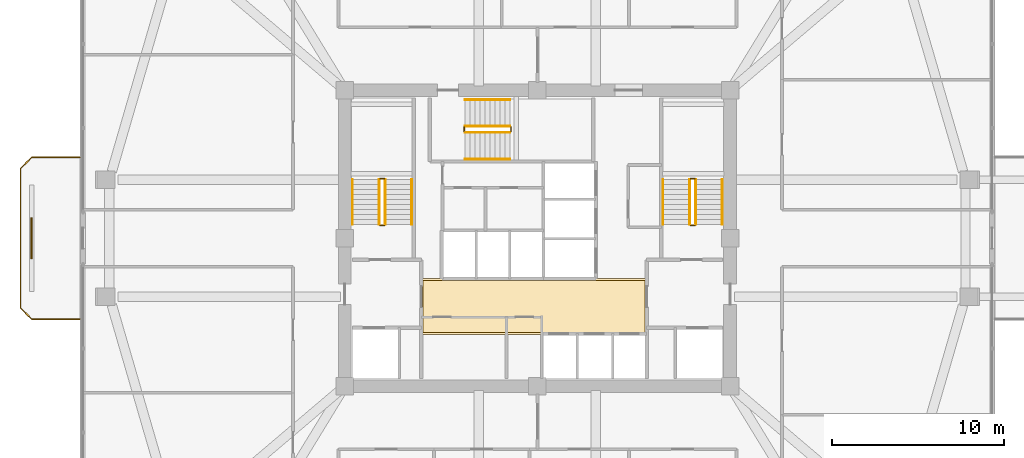
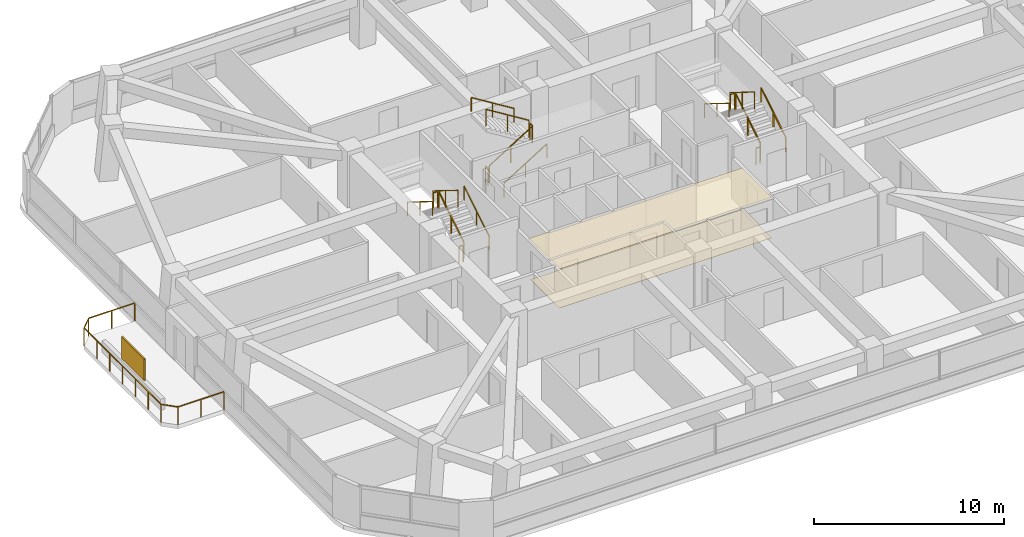
# One storey, part 14 of 15: 19 railings, 2 coverings, 1 shading device.
"""IFC4 building model written with IfcOpenShell, lengths in metres."""

from ifc_helpers import new_model, si_unit, derived_unit, direction, frame, origin, origin_2d, place, context, subcontext, project, spatial, polyline, rectangle, outline, extrude, material, layer, layer_set, type_object, element, save


model = new_model("IFC4")

# Units and contexts
model_context = context("Model", 3, precision=1e-05, world=origin(), true_north=direction((0.0, 1.0)))
body_context = subcontext(model_context, "Body", "Model", "MODEL_VIEW")
ifc_project = project(units=[si_unit("LENGTHUNIT", "METRE"), si_unit("AREAUNIT", "SQUARE_METRE"), si_unit("VOLUMEUNIT", "CUBIC_METRE"), si_unit("PLANEANGLEUNIT", "RADIAN"), si_unit("MASSUNIT", "GRAM", prefix="KILO"), derived_unit("THERMALTRANSMITTANCEUNIT", [(si_unit("POWERUNIT", "WATT"), 1), (si_unit("LENGTHUNIT", "METRE"), -2), (si_unit("THERMODYNAMICTEMPERATUREUNIT", "KELVIN"), -1)])], contexts=[model_context])

# Site, building, storey
site_placement = place(None, origin())
site = spatial("IfcSite", under=ifc_project, at=site_placement, CompositionType="ELEMENT")
building_placement = place(site_placement, origin())
building = spatial("IfcBuilding", under=site, at=building_placement, Name="Koralith Skygarden Medical Center", CompositionType="ELEMENT")
storey_placement = place(building_placement, frame((0.0, 0.0, 91.97998046875)))
storey = spatial("IfcBuildingStorey", under=building, at=storey_placement, Name="L23", CompositionType="ELEMENT", Elevation=91.97998046875)

# Covering
ifc_material_1 = material(Name="Acoustic Mineral Tile")
ifc_layer_1 = layer(ifc_material_1, 0.02001953125)
ifc_layer_set_1 = layer_set([ifc_layer_1], Name="Acoustic Mineral Tile")
covering_type_1 = type_object("IfcCoveringType", Name="Acoustic Hygienic Mineral Ceiling 20", PredefinedType="CEILING", material=ifc_layer_set_1)
covering_1_placement = place(storey_placement, frame((0.0, 0.0, 2.5849609375)))
element("IfcCovering", 1, at=covering_1_placement, inside=storey, type_object=covering_type_1, Name="L23 Core Lobby Acoustic Ceiling", PredefinedType="CEILING", context=body_context, shape_type="SweptSolid", body=[
    extrude(outline(polyline([(30.25, 20.320068359375), (43.35009765625, 20.320068359375), (43.35009765625, 23.56005859375), (30.25, 23.56005859375), (30.25, 20.320068359375)])), origin(), (0.0, 0.0, 1.0), 0.02001953125),
])

# Railing
ifc_material_2 = material(Name="Steel ASTM A500 Grade C", Category="steel")
railing_type_1 = type_object("IfcRailingType", Name="Outdoor Terrace & Balcony Safety Guardrail 1180", PredefinedType="GUARDRAIL", material=ifc_material_2)
railing_1_placement = place(storey_placement, frame((10.402099609375, 21.199951171875, 0.0)))
element("IfcRailing", 2, at=railing_1_placement, inside=storey, type_object=railing_type_1, Name="L23 W Balcony Perimeter Guardrail", PredefinedType="GUARDRAIL", context=body_context, shape_type="SweptSolid", body=[
    extrude(rectangle(XDim=0.050048828125, YDim=0.050048828125, at=origin_2d()), frame((-0.001953125, 0.0, 1.15478515625), z_axis=(-1.0, 0.0, 0.0), x_axis=(0.0, -1.0, 0.0)), (0.0, 0.0, 1.0), 2.795166015625),
    extrude(rectangle(XDim=0.050048828125, YDim=0.050048828125, at=origin_2d()), frame((-2.800537109375, 0.00146484375, 1.15478515625), z_axis=(-0.707637243664, 0.706575920464, 0.0), x_axis=(-0.706575920464, -0.707637243664, 0.0)), (0.0, 0.0, 1.0), 0.916015625),
    extrude(rectangle(XDim=0.050048828125, YDim=0.050048828125, at=origin_2d()), frame((-3.4501953125, 0.652099609375, 1.15478515625), z_axis=(0.0, 1.0, 0.0), x_axis=(-1.0, 0.0, 0.0)), (0.0, 0.0, 1.0), 8.095947265625),
    extrude(rectangle(XDim=0.050048828125, YDim=0.050048828125, at=origin_2d()), frame((-3.44873046875, 8.75146484375, 1.15478515625), z_axis=(0.707637243664, 0.706575920464, 0.0), x_axis=(-0.706575920464, 0.707637243664, 0.0)), (0.0, 0.0, 1.0), 0.916015625),
    extrude(rectangle(XDim=0.050048828125, YDim=0.050048828125, at=origin_2d()), frame((-2.797119140625, 9.400146484375, 1.15478515625), z_axis=(1.0, 0.0, 0.0), x_axis=(0.0, 1.0, 0.0)), (0.0, 0.0, 1.0), 2.795166015625),
    extrude(rectangle(XDim=0.0419921875, YDim=0.0419921875, at=origin_2d()), origin(), (0.0, 0.0, 1.0), 1.1279296875),
    extrude(rectangle(XDim=0.0419921875, YDim=0.0419921875, at=origin_2d()), frame((-1.3994140625, 0.0, 0.0)), (0.0, 0.0, 1.0), 1.1279296875),
    extrude(rectangle(XDim=0.0419921875, YDim=0.0419921875, at=origin_2d()), frame((-2.799072265625, 0.0, 0.0)), (0.0, 0.0, 1.0), 1.1279296875),
    extrude(rectangle(XDim=0.0419921875, YDim=0.0419921875, at=origin_2d()), frame((-3.4501953125, 0.650146484375, 0.0)), (0.0, 0.0, 1.0), 1.1279296875),
    extrude(rectangle(XDim=0.0419921875, YDim=0.0419921875, at=origin_2d()), frame((-3.4501953125, 2.0, 0.0)), (0.0, 0.0, 1.0), 1.1279296875),
    extrude(rectangle(XDim=0.0419921875, YDim=0.0419921875, at=origin_2d()), frame((-3.4501953125, 3.35009765625, 0.0)), (0.0, 0.0, 1.0), 1.1279296875),
    extrude(rectangle(XDim=0.0419921875, YDim=0.0419921875, at=origin_2d()), frame((-3.4501953125, 4.7001953125, 0.0)), (0.0, 0.0, 1.0), 1.1279296875),
    extrude(rectangle(XDim=0.0419921875, YDim=0.0419921875, at=origin_2d()), frame((-3.4501953125, 6.050048828125, 0.0)), (0.0, 0.0, 1.0), 1.1279296875),
    extrude(rectangle(XDim=0.0419921875, YDim=0.0419921875, at=origin_2d()), frame((-3.4501953125, 7.39990234375, 0.0)), (0.0, 0.0, 1.0), 1.1279296875),
    extrude(rectangle(XDim=0.0419921875, YDim=0.0419921875, at=origin_2d()), frame((-3.4501953125, 8.75, 0.0)), (0.0, 0.0, 1.0), 1.1279296875),
    extrude(rectangle(XDim=0.0419921875, YDim=0.0419921875, at=origin_2d()), frame((-2.799072265625, 9.400146484375, 0.0)), (0.0, 0.0, 1.0), 1.1279296875),
    extrude(rectangle(XDim=0.0419921875, YDim=0.0419921875, at=origin_2d()), frame((-1.3994140625, 9.400146484375, 0.0)), (0.0, 0.0, 1.0), 1.1279296875),
    extrude(rectangle(XDim=0.0419921875, YDim=0.0419921875, at=origin_2d()), frame((0.0, 9.400146484375, 0.0)), (0.0, 0.0, 1.0), 1.1279296875),
])

# Shading device
ifc_material_3 = material(Name="Aluminium 6063-T6", Category="aluminium")
ifc_layer_2 = layer(ifc_material_3, 0.080078125)
ifc_layer_set_2 = layer_set([ifc_layer_2], Name="Aluminium 6063-T6")
shading_device_type = type_object("IfcShadingDeviceType", Name="Perforated Biophilic Balcony Trellis Screen", PredefinedType="USERDEFINED", material=ifc_layer_set_2)
shading_device_placement = place(storey_placement, frame((7.60205078125, 25.89990234375, 0.719970703125), z_axis=(0.0, 0.0, 1.0), x_axis=(0.0, 1.0, 0.0)))
element("IfcShadingDevice", 3, at=shading_device_placement, inside=storey, type_object=shading_device_type, Name="L23 W Biophilic Balcony Trellis Screen", ObjectType="HURRICANE SCREEN", PredefinedType="USERDEFINED", context=body_context, shape_type="SweptSolid", body=[
    extrude(rectangle(XDim=2.39990234375, YDim=0.080078125, at=origin_2d()), origin(), (0.0, 0.0, 1.0), 1.39990234375),
])

# Covering
ifc_material_4 = material(Name="Medical Terrazzo Flooring")
ifc_layer_3 = layer(ifc_material_4, 0.014892578125)
ifc_layer_set_3 = layer_set([ifc_layer_3], Name="Medical Terrazzo Flooring")
covering_type_2 = type_object("IfcCoveringType", Name="Seamless Antimicrobial Terrazzo Flooring 15", PredefinedType="FLOORING", material=ifc_layer_set_3)
covering_2_placement = place(storey_placement, origin())
element("IfcCovering", 4, at=covering_2_placement, inside=storey, type_object=covering_type_2, Name="L23 Core Lobby Terrazzo Flooring", PredefinedType="FLOORING", context=body_context, shape_type="SweptSolid", body=[
    extrude(outline(polyline([(30.35009765625, 20.419921875), (43.25, 20.419921875), (43.25, 23.4599609375), (30.35009765625, 23.4599609375), (30.35009765625, 20.419921875)])), origin(), (0.0, 0.0, 1.0), 0.01513671875),
])

# Railings
railing_type_2 = type_object("IfcRailingType", Name="Stair Flight Tubular Handrail 920", PredefinedType="HANDRAIL", material=ifc_material_2)
railing_2_placement = place(storey_placement, frame((29.699951171875, 26.699951171875, 0.179931640625)))
element("IfcRailing", 5, at=railing_2_placement, inside=storey, type_object=railing_type_2, Name="L23 ST1 stair handrail 1", PredefinedType="HANDRAIL", context=body_context, shape_type="SweptSolid", body=[
    extrude(rectangle(XDim=0.050048828125, YDim=0.050048828125, at=origin_2d()), frame((0.0, 0.001708984375, 0.89599609375), z_axis=(0.0, 0.849632798774, 0.527374731332), x_axis=(-1.0, 0.0, 0.0)), (0.0, 0.0, 1.0), 3.068115234375),
    extrude(rectangle(XDim=0.0419921875, YDim=0.0419921875, at=origin_2d()), origin(), (0.0, 0.0, 1.0), 0.867919921875),
    extrude(rectangle(XDim=0.0419921875, YDim=0.0419921875, at=origin_2d()), frame((0.0, 1.30517578125, 0.81005859375)), (0.0, 0.0, 1.0), 0.867919921875),
    extrude(rectangle(XDim=0.0419921875, YDim=0.0419921875, at=origin_2d()), frame((0.0, 2.610107421875, 1.6201171875)), (0.0, 0.0, 1.0), 0.867919921875),
])
railing_3_placement = place(storey_placement, frame((26.25, 29.31005859375, 1.97998046875)))
element("IfcRailing", 6, at=railing_3_placement, inside=storey, type_object=railing_type_2, Name="L23 ST1 stair handrail 2", PredefinedType="HANDRAIL", context=body_context, shape_type="SweptSolid", body=[
    extrude(rectangle(XDim=0.050048828125, YDim=0.050048828125, at=origin_2d()), frame((0.0, -0.001708984375, 0.89599609375), z_axis=(0.0, -0.849632798774, 0.527374731332), x_axis=(1.0, 0.0, 0.0)), (0.0, 0.0, 1.0), 3.068115234375),
    extrude(rectangle(XDim=0.0419921875, YDim=0.0419921875, at=origin_2d()), origin(), (0.0, 0.0, 1.0), 0.867919921875),
    extrude(rectangle(XDim=0.0419921875, YDim=0.0419921875, at=origin_2d()), frame((0.0, -1.30517578125, 0.81005859375)), (0.0, 0.0, 1.0), 0.867919921875),
    extrude(rectangle(XDim=0.0419921875, YDim=0.0419921875, at=origin_2d()), frame((0.0, -2.610107421875, 1.6201171875)), (0.0, 0.0, 1.0), 0.867919921875),
])
railing_4_placement = place(storey_placement, frame((47.75, 26.699951171875, 0.179931640625)))
element("IfcRailing", 7, at=railing_4_placement, inside=storey, type_object=railing_type_2, Name="L23 ST2 stair handrail 1", PredefinedType="HANDRAIL", context=body_context, shape_type="SweptSolid", body=[
    extrude(rectangle(XDim=0.050048828125, YDim=0.050048828125, at=origin_2d()), frame((0.0, 0.001708984375, 0.89599609375), z_axis=(0.0, 0.849632798774, 0.527374731332), x_axis=(-1.0, 0.0, 0.0)), (0.0, 0.0, 1.0), 3.068115234375),
    extrude(rectangle(XDim=0.0419921875, YDim=0.0419921875, at=origin_2d()), origin(), (0.0, 0.0, 1.0), 0.867919921875),
    extrude(rectangle(XDim=0.0419921875, YDim=0.0419921875, at=origin_2d()), frame((0.0, 1.30517578125, 0.81005859375)), (0.0, 0.0, 1.0), 0.867919921875),
    extrude(rectangle(XDim=0.0419921875, YDim=0.0419921875, at=origin_2d()), frame((0.0, 2.610107421875, 1.6201171875)), (0.0, 0.0, 1.0), 0.867919921875),
])
railing_5_placement = place(storey_placement, frame((44.300048828125, 29.31005859375, 1.97998046875)))
element("IfcRailing", 8, at=railing_5_placement, inside=storey, type_object=railing_type_2, Name="L23 ST2 stair handrail 2", PredefinedType="HANDRAIL", context=body_context, shape_type="SweptSolid", body=[
    extrude(rectangle(XDim=0.050048828125, YDim=0.050048828125, at=origin_2d()), frame((0.0, -0.001708984375, 0.89599609375), z_axis=(0.0, -0.849632798774, 0.527374731332), x_axis=(1.0, 0.0, 0.0)), (0.0, 0.0, 1.0), 3.068115234375),
    extrude(rectangle(XDim=0.0419921875, YDim=0.0419921875, at=origin_2d()), origin(), (0.0, 0.0, 1.0), 0.867919921875),
    extrude(rectangle(XDim=0.0419921875, YDim=0.0419921875, at=origin_2d()), frame((0.0, -1.30517578125, 0.81005859375)), (0.0, 0.0, 1.0), 0.867919921875),
    extrude(rectangle(XDim=0.0419921875, YDim=0.0419921875, at=origin_2d()), frame((0.0, -2.610107421875, 1.6201171875)), (0.0, 0.0, 1.0), 0.867919921875),
])
railing_6_placement = place(storey_placement, frame((32.800048828125, 30.5, 0.179931640625)))
element("IfcRailing", 9, at=railing_6_placement, inside=storey, type_object=railing_type_2, Name="L23 ST3 stair handrail 1", PredefinedType="HANDRAIL", context=body_context, shape_type="SweptSolid", body=[
    extrude(rectangle(XDim=0.050048828125, YDim=0.050048828125, at=origin_2d()), frame((0.001708984375, 0.0, 0.89599609375), z_axis=(0.849610693518, 0.0, 0.52741034258), x_axis=(0.0, 1.0, 0.0)), (0.0, 0.0, 1.0), 3.06787109375),
    extrude(rectangle(XDim=0.0419921875, YDim=0.0419921875, at=origin_2d()), origin(), (0.0, 0.0, 1.0), 0.867919921875),
    extrude(rectangle(XDim=0.0419921875, YDim=0.0419921875, at=origin_2d()), frame((1.304931640625, 0.0, 0.81005859375)), (0.0, 0.0, 1.0), 0.867919921875),
    extrude(rectangle(XDim=0.0419921875, YDim=0.0419921875, at=origin_2d()), frame((2.60986328125, 0.0, 1.6201171875)), (0.0, 0.0, 1.0), 0.867919921875),
])
railing_7_placement = place(storey_placement, frame((35.409912109375, 33.949951171875, 1.97998046875)))
element("IfcRailing", 10, at=railing_7_placement, inside=storey, type_object=railing_type_2, Name="L23 ST3 stair handrail 2", PredefinedType="HANDRAIL", context=body_context, shape_type="SweptSolid", body=[
    extrude(rectangle(XDim=0.050048828125, YDim=0.050048828125, at=origin_2d()), frame((-0.001708984375, 0.0, 0.89599609375), z_axis=(-0.849610693518, 0.0, 0.52741034258), x_axis=(0.0, -1.0, 0.0)), (0.0, 0.0, 1.0), 3.06787109375),
    extrude(rectangle(XDim=0.0419921875, YDim=0.0419921875, at=origin_2d()), origin(), (0.0, 0.0, 1.0), 0.867919921875),
    extrude(rectangle(XDim=0.0419921875, YDim=0.0419921875, at=origin_2d()), frame((-1.304931640625, 0.0, 0.81005859375)), (0.0, 0.0, 1.0), 0.867919921875),
    extrude(rectangle(XDim=0.0419921875, YDim=0.0419921875, at=origin_2d()), frame((-2.60986328125, 0.0, 1.6201171875)), (0.0, 0.0, 1.0), 0.867919921875),
])
railing_type_3 = type_object("IfcRailingType", Name="Stair Well Safety Guardrail 1100", PredefinedType="GUARDRAIL", material=ifc_material_2)
railing_8_placement = place(storey_placement, frame((28.14990234375, 26.699951171875, 0.179931640625)))
element("IfcRailing", 11, at=railing_8_placement, inside=storey, type_object=railing_type_3, Name="L23 ST1 stair guard 1", PredefinedType="GUARDRAIL", context=body_context, shape_type="SweptSolid", body=[
    extrude(rectangle(XDim=0.050048828125, YDim=0.050048828125, at=origin_2d()), frame((0.0, 0.001708984375, 1.076171875), z_axis=(0.0, 0.849632798774, 0.527374731332), x_axis=(-1.0, 0.0, 0.0)), (0.0, 0.0, 1.0), 3.068115234375),
    extrude(rectangle(XDim=0.0419921875, YDim=0.0419921875, at=origin_2d()), origin(), (0.0, 0.0, 1.0), 1.048095703125),
    extrude(rectangle(XDim=0.0419921875, YDim=0.0419921875, at=origin_2d()), frame((0.0, 1.30517578125, 0.81005859375)), (0.0, 0.0, 1.0), 1.048095703125),
    extrude(rectangle(XDim=0.0419921875, YDim=0.0419921875, at=origin_2d()), frame((0.0, 2.610107421875, 1.6201171875)), (0.0, 0.0, 1.0), 1.048095703125),
])
railing_9_placement = place(storey_placement, frame((28.10009765625, 29.360107421875, 1.800048828125)))
element("IfcRailing", 12, at=railing_9_placement, inside=storey, type_object=railing_type_3, Name="L23 ST1 stair guard 2", PredefinedType="GUARDRAIL", context=body_context, shape_type="SweptSolid", body=[
    extrude(rectangle(XDim=0.050048828125, YDim=0.050048828125, at=origin_2d()), frame((-0.001953125, 0.0, 1.0751953125), z_axis=(-1.0, 0.0, 0.0), x_axis=(0.0, -1.0, 0.0)), (0.0, 0.0, 1.0), 0.24609375),
    extrude(rectangle(XDim=0.0419921875, YDim=0.0419921875, at=origin_2d()), origin(), (0.0, 0.0, 1.0), 1.048095703125),
    extrude(rectangle(XDim=0.0419921875, YDim=0.0419921875, at=origin_2d()), frame((-0.25, 0.0, 0.0)), (0.0, 0.0, 1.0), 1.048095703125),
])
railing_10_placement = place(storey_placement, frame((27.800048828125, 29.31005859375, 1.97998046875)))
element("IfcRailing", 13, at=railing_10_placement, inside=storey, type_object=railing_type_3, Name="L23 ST1 stair guard 3", PredefinedType="GUARDRAIL", context=body_context, shape_type="SweptSolid", body=[
    extrude(rectangle(XDim=0.050048828125, YDim=0.050048828125, at=origin_2d()), frame((0.0, -0.001708984375, 1.076171875), z_axis=(0.0, -0.849632798774, 0.527374731332), x_axis=(1.0, 0.0, 0.0)), (0.0, 0.0, 1.0), 3.068115234375),
    extrude(rectangle(XDim=0.0419921875, YDim=0.0419921875, at=origin_2d()), origin(), (0.0, 0.0, 1.0), 1.048095703125),
    extrude(rectangle(XDim=0.0419921875, YDim=0.0419921875, at=origin_2d()), frame((0.0, -1.30517578125, 0.81005859375)), (0.0, 0.0, 1.0), 1.048095703125),
    extrude(rectangle(XDim=0.0419921875, YDim=0.0419921875, at=origin_2d()), frame((0.0, -2.610107421875, 1.6201171875)), (0.0, 0.0, 1.0), 1.048095703125),
])
railing_11_placement = place(storey_placement, frame((28.10009765625, 26.64990234375, 0.0)))
element("IfcRailing", 14, at=railing_11_placement, inside=storey, type_object=railing_type_3, Name="L23 ST1 stair guard 4", PredefinedType="GUARDRAIL", context=body_context, shape_type="SweptSolid", body=[
    extrude(rectangle(XDim=0.050048828125, YDim=0.050048828125, at=origin_2d()), frame((-0.001953125, 0.0, 1.0751953125), z_axis=(-1.0, 0.0, 0.0), x_axis=(0.0, -1.0, 0.0)), (0.0, 0.0, 1.0), 0.24609375),
    extrude(rectangle(XDim=0.0419921875, YDim=0.0419921875, at=origin_2d()), origin(), (0.0, 0.0, 1.0), 1.048095703125),
    extrude(rectangle(XDim=0.0419921875, YDim=0.0419921875, at=origin_2d()), frame((-0.25, 0.0, 0.0)), (0.0, 0.0, 1.0), 1.048095703125),
])
railing_12_placement = place(storey_placement, frame((46.199951171875, 26.699951171875, 0.179931640625)))
element("IfcRailing", 15, at=railing_12_placement, inside=storey, type_object=railing_type_3, Name="L23 ST2 stair guard 1", PredefinedType="GUARDRAIL", context=body_context, shape_type="SweptSolid", body=[
    extrude(rectangle(XDim=0.050048828125, YDim=0.050048828125, at=origin_2d()), frame((0.0, 0.001708984375, 1.076171875), z_axis=(0.0, 0.849632798774, 0.527374731332), x_axis=(-1.0, 0.0, 0.0)), (0.0, 0.0, 1.0), 3.068115234375),
    extrude(rectangle(XDim=0.0419921875, YDim=0.0419921875, at=origin_2d()), origin(), (0.0, 0.0, 1.0), 1.048095703125),
    extrude(rectangle(XDim=0.0419921875, YDim=0.0419921875, at=origin_2d()), frame((0.0, 1.30517578125, 0.81005859375)), (0.0, 0.0, 1.0), 1.048095703125),
    extrude(rectangle(XDim=0.0419921875, YDim=0.0419921875, at=origin_2d()), frame((0.0, 2.610107421875, 1.6201171875)), (0.0, 0.0, 1.0), 1.048095703125),
])
railing_13_placement = place(storey_placement, frame((46.14990234375, 29.360107421875, 1.800048828125)))
element("IfcRailing", 16, at=railing_13_placement, inside=storey, type_object=railing_type_3, Name="L23 ST2 stair guard 2", PredefinedType="GUARDRAIL", context=body_context, shape_type="SweptSolid", body=[
    extrude(rectangle(XDim=0.050048828125, YDim=0.050048828125, at=origin_2d()), frame((-0.001953125, 0.0, 1.0751953125), z_axis=(-1.0, 0.0, 0.0), x_axis=(0.0, -1.0, 0.0)), (0.0, 0.0, 1.0), 0.24609375),
    extrude(rectangle(XDim=0.0419921875, YDim=0.0419921875, at=origin_2d()), origin(), (0.0, 0.0, 1.0), 1.048095703125),
    extrude(rectangle(XDim=0.0419921875, YDim=0.0419921875, at=origin_2d()), frame((-0.25, 0.0, 0.0)), (0.0, 0.0, 1.0), 1.048095703125),
])
railing_14_placement = place(storey_placement, frame((45.85009765625, 29.31005859375, 1.97998046875)))
element("IfcRailing", 17, at=railing_14_placement, inside=storey, type_object=railing_type_3, Name="L23 ST2 stair guard 3", PredefinedType="GUARDRAIL", context=body_context, shape_type="SweptSolid", body=[
    extrude(rectangle(XDim=0.050048828125, YDim=0.050048828125, at=origin_2d()), frame((0.0, -0.001708984375, 1.076171875), z_axis=(0.0, -0.849632798774, 0.527374731332), x_axis=(1.0, 0.0, 0.0)), (0.0, 0.0, 1.0), 3.068115234375),
    extrude(rectangle(XDim=0.0419921875, YDim=0.0419921875, at=origin_2d()), origin(), (0.0, 0.0, 1.0), 1.048095703125),
    extrude(rectangle(XDim=0.0419921875, YDim=0.0419921875, at=origin_2d()), frame((0.0, -1.30517578125, 0.81005859375)), (0.0, 0.0, 1.0), 1.048095703125),
    extrude(rectangle(XDim=0.0419921875, YDim=0.0419921875, at=origin_2d()), frame((0.0, -2.610107421875, 1.6201171875)), (0.0, 0.0, 1.0), 1.048095703125),
])
railing_15_placement = place(storey_placement, frame((46.14990234375, 26.64990234375, 0.0)))
element("IfcRailing", 18, at=railing_15_placement, inside=storey, type_object=railing_type_3, Name="L23 ST2 stair guard 4", PredefinedType="GUARDRAIL", context=body_context, shape_type="SweptSolid", body=[
    extrude(rectangle(XDim=0.050048828125, YDim=0.050048828125, at=origin_2d()), frame((-0.001953125, 0.0, 1.0751953125), z_axis=(-1.0, 0.0, 0.0), x_axis=(0.0, -1.0, 0.0)), (0.0, 0.0, 1.0), 0.24609375),
    extrude(rectangle(XDim=0.0419921875, YDim=0.0419921875, at=origin_2d()), origin(), (0.0, 0.0, 1.0), 1.048095703125),
    extrude(rectangle(XDim=0.0419921875, YDim=0.0419921875, at=origin_2d()), frame((-0.25, 0.0, 0.0)), (0.0, 0.0, 1.0), 1.048095703125),
])
railing_16_placement = place(storey_placement, frame((32.800048828125, 32.050048828125, 0.179931640625)))
element("IfcRailing", 19, at=railing_16_placement, inside=storey, type_object=railing_type_3, Name="L23 ST3 stair guard 1", PredefinedType="GUARDRAIL", context=body_context, shape_type="SweptSolid", body=[
    extrude(rectangle(XDim=0.050048828125, YDim=0.050048828125, at=origin_2d()), frame((0.001708984375, 0.0, 1.076171875), z_axis=(0.849610693518, 0.0, 0.52741034258), x_axis=(0.0, 1.0, 0.0)), (0.0, 0.0, 1.0), 3.06787109375),
    extrude(rectangle(XDim=0.0419921875, YDim=0.0419921875, at=origin_2d()), origin(), (0.0, 0.0, 1.0), 1.048095703125),
    extrude(rectangle(XDim=0.0419921875, YDim=0.0419921875, at=origin_2d()), frame((1.304931640625, 0.0, 0.81005859375)), (0.0, 0.0, 1.0), 1.048095703125),
    extrude(rectangle(XDim=0.0419921875, YDim=0.0419921875, at=origin_2d()), frame((2.60986328125, 0.0, 1.6201171875)), (0.0, 0.0, 1.0), 1.048095703125),
])
railing_17_placement = place(storey_placement, frame((35.4599609375, 32.10009765625, 1.800048828125)))
element("IfcRailing", 20, at=railing_17_placement, inside=storey, type_object=railing_type_3, Name="L23 ST3 stair guard 2", PredefinedType="GUARDRAIL", context=body_context, shape_type="SweptSolid", body=[
    extrude(rectangle(XDim=0.050048828125, YDim=0.050048828125, at=origin_2d()), frame((0.0, 0.001953125, 1.0751953125), z_axis=(0.0, 1.0, 0.0), x_axis=(-1.0, 0.0, 0.0)), (0.0, 0.0, 1.0), 0.24609375),
    extrude(rectangle(XDim=0.0419921875, YDim=0.0419921875, at=origin_2d()), origin(), (0.0, 0.0, 1.0), 1.048095703125),
    extrude(rectangle(XDim=0.0419921875, YDim=0.0419921875, at=origin_2d()), frame((0.0, 0.25, 0.0)), (0.0, 0.0, 1.0), 1.048095703125),
])
railing_18_placement = place(storey_placement, frame((35.409912109375, 32.39990234375, 1.97998046875)))
element("IfcRailing", 21, at=railing_18_placement, inside=storey, type_object=railing_type_3, Name="L23 ST3 stair guard 3", PredefinedType="GUARDRAIL", context=body_context, shape_type="SweptSolid", body=[
    extrude(rectangle(XDim=0.050048828125, YDim=0.050048828125, at=origin_2d()), frame((-0.001708984375, 0.0, 1.076171875), z_axis=(-0.849610693518, 0.0, 0.52741034258), x_axis=(0.0, -1.0, 0.0)), (0.0, 0.0, 1.0), 3.06787109375),
    extrude(rectangle(XDim=0.0419921875, YDim=0.0419921875, at=origin_2d()), origin(), (0.0, 0.0, 1.0), 1.048095703125),
    extrude(rectangle(XDim=0.0419921875, YDim=0.0419921875, at=origin_2d()), frame((-1.304931640625, 0.0, 0.81005859375)), (0.0, 0.0, 1.0), 1.048095703125),
    extrude(rectangle(XDim=0.0419921875, YDim=0.0419921875, at=origin_2d()), frame((-2.60986328125, 0.0, 1.6201171875)), (0.0, 0.0, 1.0), 1.048095703125),
])
railing_19_placement = place(storey_placement, frame((32.75, 32.10009765625, 0.0)))
element("IfcRailing", 22, at=railing_19_placement, inside=storey, type_object=railing_type_3, Name="L23 ST3 stair guard 4", PredefinedType="GUARDRAIL", context=body_context, shape_type="SweptSolid", body=[
    extrude(rectangle(XDim=0.050048828125, YDim=0.050048828125, at=origin_2d()), frame((0.0, 0.001953125, 1.0751953125), z_axis=(0.0, 1.0, 0.0), x_axis=(-1.0, 0.0, 0.0)), (0.0, 0.0, 1.0), 0.24609375),
    extrude(rectangle(XDim=0.0419921875, YDim=0.0419921875, at=origin_2d()), origin(), (0.0, 0.0, 1.0), 1.048095703125),
    extrude(rectangle(XDim=0.0419921875, YDim=0.0419921875, at=origin_2d()), frame((0.0, 0.25, 0.0)), (0.0, 0.0, 1.0), 1.048095703125),
])

save(model, "model.ifc")
